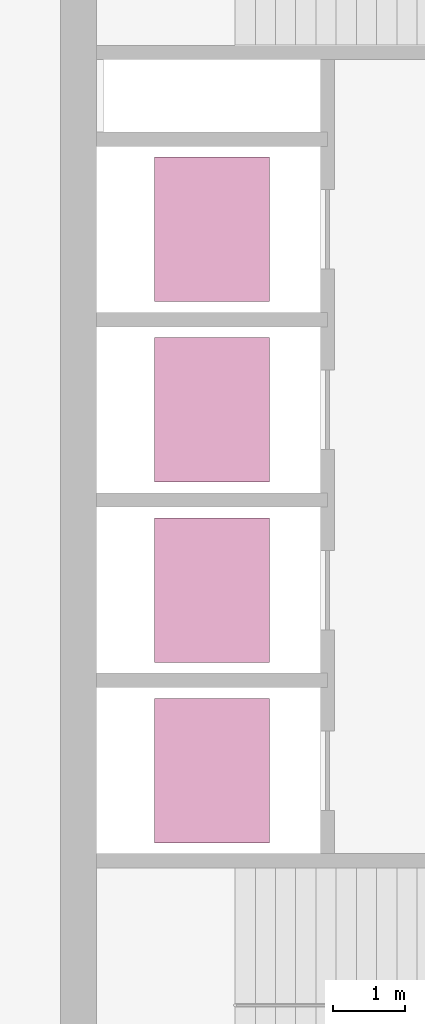
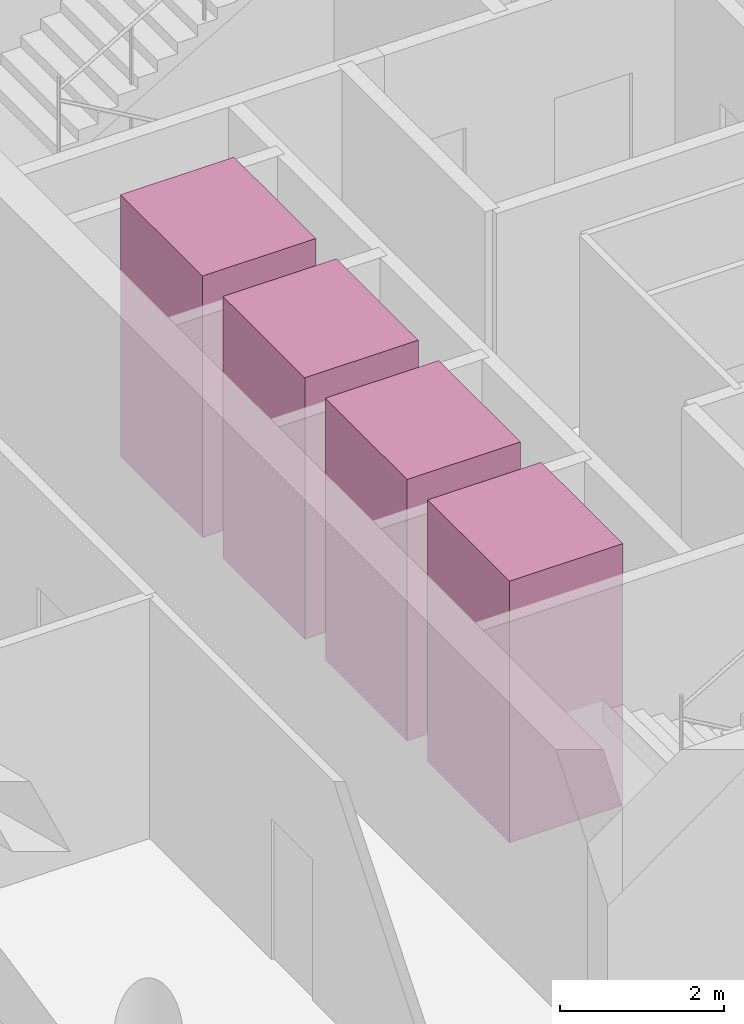
# One storey, part 8 of 8: 4 transport elements.
"""IFC4 building model written with IfcOpenShell, lengths in metres."""

from ifc_helpers import new_model, si_unit, direction, frame, origin, origin_2d, place, context, subcontext, project, spatial, rectangle, extrude, material, type_object, element, save


model = new_model("IFC4")

# Units and contexts
model_context = context("Model", 3, precision=1e-05, world=origin(), true_north=direction((0.0, 1.0)))
body_context = subcontext(model_context, "Body", "Model", "MODEL_VIEW")
ifc_project = project(units=[si_unit("LENGTHUNIT", "METRE"), si_unit("AREAUNIT", "SQUARE_METRE"), si_unit("VOLUMEUNIT", "CUBIC_METRE"), si_unit("PLANEANGLEUNIT", "RADIAN"), si_unit("MASSUNIT", "GRAM", prefix="KILO")], contexts=[model_context])

# Site, building, storey
site_placement = place(None, origin())
site = spatial("IfcSite", under=ifc_project, at=site_placement, CompositionType="ELEMENT")
building_placement = place(site_placement, origin())
building = spatial("IfcBuilding", under=site, at=building_placement, Name="Qaws Garden Tower", CompositionType="ELEMENT")
storey_placement = place(building_placement, frame((0.0, 0.0, 306.0)))
storey = spatial("IfcBuildingStorey", under=building, at=storey_placement, Name="L74", CompositionType="ELEMENT", Elevation=306.0)

# Transport elements
ifc_material = material(Name="Stainless steel 316", Category="steel")
transport_element_type = type_object("IfcTransportElementType", Name="Passenger lift car 2000x1600 1800 kg", PredefinedType="ELEVATOR", material=ifc_material)
for number, where, z_axis, x_axis, name in (
    (1, (10.10009765625, 13.64990234375, 0.0), (0.0, 0.0, 1.0), (1.0, 0.0, 0.0), "HR1"),
    (2, (10.10009765625, 16.14990234375, 0.0), (0.0, 0.0, 1.0), (1.0, 0.0, 0.0), "HR2"),
    (3, (10.10009765625, 18.64990234375, 0.0), (0.0, 0.0, 1.0), (1.0, 0.0, 0.0), "HR3"),
    (4, (10.10009765625, 21.14990234375, 0.0), (0.0, 0.0, 1.0), (1.0, 0.0, 0.0), "HR4"),
):
    element("IfcTransportElement", number, at=place(storey_placement, frame(where, z_axis=z_axis, x_axis=x_axis)), inside=storey, type_object=transport_element_type, Name=name, PredefinedType="ELEVATOR", context=body_context, shape_type="SweptSolid", body=[
        extrude(rectangle(XDim=1.60009765625, YDim=2.0, at=origin_2d()), origin(), (0.0, 0.0, 1.0), 3.89990234375),
    ])

save(model, "model.ifc")
